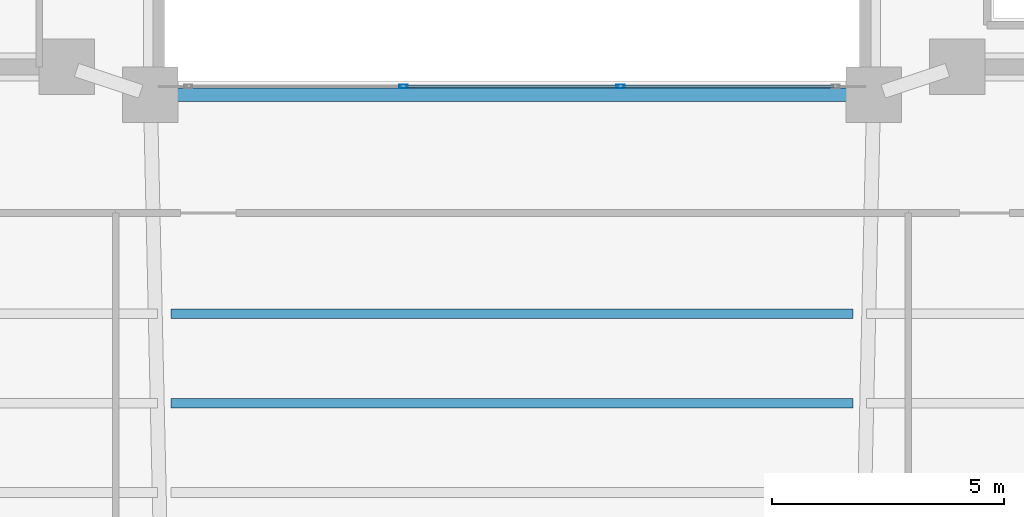
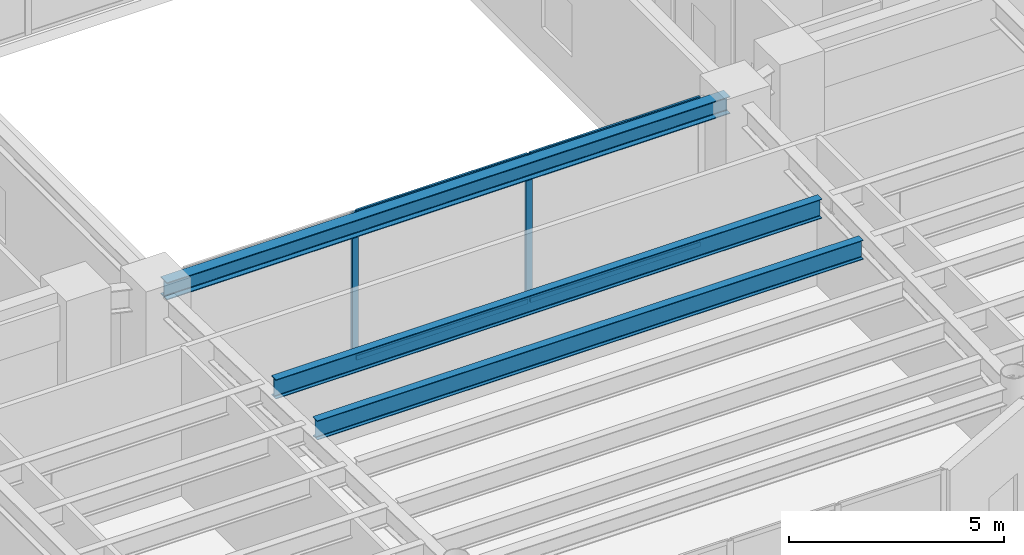
# One storey, part 7 of 37: 6 members, 3 beams, 1 element without a shape of its own.
"""IFC4 building model written with IfcOpenShell, lengths in metres."""

from ifc_helpers import new_model, si_unit, direction, frame, origin, origin_2d, place, context, subcontext, project, spatial, hollow_rectangle, i_section, extrude, material, layer, layer_set, material_profile, profile_set, type_object, element, aggregate, save


model = new_model("IFC4")

# Units and contexts
model_context = context("Model", 3, precision=1e-05, world=origin(), true_north=direction((0.0, 1.0)))
body_context = subcontext(model_context, "Body", "Model", "MODEL_VIEW")
ifc_project = project(units=[si_unit("LENGTHUNIT", "METRE"), si_unit("AREAUNIT", "SQUARE_METRE"), si_unit("VOLUMEUNIT", "CUBIC_METRE"), si_unit("PLANEANGLEUNIT", "RADIAN"), si_unit("MASSUNIT", "GRAM", prefix="KILO")], contexts=[model_context])

# Site, building, storey
site_placement = place(None, origin())
site = spatial("IfcSite", under=ifc_project, at=site_placement, CompositionType="ELEMENT")
building_placement = place(site_placement, origin())
building = spatial("IfcBuilding", under=site, at=building_placement, Name="Tarnavaz Court Tower", CompositionType="ELEMENT")
storey_placement = place(building_placement, frame((0.0, 0.0, 118.5)))
storey = spatial("IfcBuildingStorey", under=building, at=storey_placement, Name="L32", CompositionType="ELEMENT", Elevation=118.5)

# Beams
ifc_material_1 = material(Name="Steel S355", Category="steel")
ifc_material_profile_1 = material_profile(ifc_material_1, i_section(OverallWidth=0.2099609375, OverallDepth=0.550048828125, WebThickness=0.010986328125, FlangeThickness=0.01708984375, FilletRadius=0.02392578125, at=origin_2d()), Name="IPE 550")
ifc_profile_set_1 = profile_set([ifc_material_profile_1], Name="Steel S355")
beam_type_1 = type_object("IfcBeamType", Name="BM-J-IPE550", PredefinedType="JOIST", material=ifc_profile_set_1)
for number, where, z_axis, x_axis, name in (
    (1, (-7.35009765625, -12.52587890625, 3.925048828125), (1.0, 0.0, 0.0), (0.0, 1.0, 0.0), "L32 Beam JS1-2"),
    (2, (-7.35009765625, -14.451904296875, 3.925048828125), (1.0, 0.0, 0.0), (0.0, 1.0, 0.0), "L32 Beam JS2-2"),
):
    element("IfcBeam", number, at=place(storey_placement, frame(where, z_axis=z_axis, x_axis=x_axis)), inside=storey, type_object=beam_type_1, Name=name, PredefinedType="JOIST", context=body_context, shape_type="SweptSolid", body=[
        extrude(i_section(OverallWidth=0.2099609375, OverallDepth=0.550048828125, WebThickness=0.010986328125, FlangeThickness=0.01708984375, FilletRadius=0.02392578125, at=origin_2d()), origin(), (0.0, 0.0, 1.0), 14.7001953125),
    ])
ifc_material_profile_2 = material_profile(ifc_material_1, i_section(OverallWidth=0.300048828125, OverallDepth=0.489990234375, WebThickness=0.011962890625, FlangeThickness=0.02294921875, FilletRadius=0.027099609375, at=origin_2d()), Name="HEA 500")
ifc_profile_set_2 = profile_set([ifc_material_profile_2], Name="Steel S355")
beam_type_2 = type_object("IfcBeamType", Name="BM-SP-HEA500", PredefinedType="SPANDREL", material=ifc_profile_set_2)
beam_placement = place(storey_placement, frame((-7.580078125, -7.800048828125, 3.955078125), z_axis=(1.0, 0.0, 0.0), x_axis=(0.0, 1.0, 0.0)))
element("IfcBeam", 3, at=beam_placement, inside=storey, type_object=beam_type_2, Name="L32 Beam IN-IW-SW-IW-SE", PredefinedType="SPANDREL", context=body_context, shape_type="SweptSolid", body=[
    extrude(i_section(OverallWidth=0.300048828125, OverallDepth=0.489990234375, WebThickness=0.011962890625, FlangeThickness=0.02294921875, FilletRadius=0.027099609375, at=origin_2d()), origin(), (0.0, 0.0, 1.0), 15.16015625),
])

# Curtain wall, members
ifc_material_2 = material(Name="Anodised Aluminium 6063-T6 and Solar Low-E Glazing", Category="aluminium")
ifc_layer = layer(ifc_material_2, 0.139892578125)
ifc_layer_set = layer_set([ifc_layer], Name="Anodised Aluminium 6063-T6 and Solar Low-E Glazing")
curtain_wall_type = type_object("IfcCurtainWallType", Name="CW-SYS-04", PredefinedType="NOTDEFINED", material=ifc_layer_set)
curtain_wall_placement = place(storey_placement, origin())
curtain_wall = element("IfcCurtainWall", 4, at=curtain_wall_placement, inside=storey, type_object=curtain_wall_type, Name="L32 Badgir Courtyard Curtain Wall S", PredefinedType="NOTDEFINED")
ifc_material_3 = material(Name="Anodised Aluminium 6063-T6", Category="aluminium")
ifc_material_profile_3 = material_profile(ifc_material_3, hollow_rectangle(XDim=0.074951171875, YDim=0.179931640625, WallThickness=0.0048828125, InnerFilletRadius=0.0048828125, OuterFilletRadius=0.010009765625, at=origin_2d()), Name="ALU RHS 180X75X5")
ifc_profile_set_3 = profile_set([ifc_material_profile_3], Name="Anodised Aluminium 6063-T6")
member_type_1 = type_object("IfcMemberType", Name="CW-MUL-180", PredefinedType="MULLION", material=ifc_profile_set_3)
member_1_placement = place(storey_placement, frame((-2.340087890625, -7.6201171875, 0.0), z_axis=(0.0, 0.0, 1.0), x_axis=(0.0, 1.0, 0.0)))
member_1 = element("IfcMember", 5, at=member_1_placement, type_object=member_type_1, Name="CW mullion 2", PredefinedType="MULLION", context=body_context, shape_type="SweptSolid", body=[
    extrude(hollow_rectangle(XDim=0.074951171875, YDim=0.179931640625, WallThickness=0.0048828125, InnerFilletRadius=0.0048828125, OuterFilletRadius=0.010009765625, at=origin_2d()), origin(), (0.0, 0.0, 1.0), 4.199951171875),
])
member_2_placement = place(storey_placement, frame((2.340087890625, -7.6201171875, 0.0), z_axis=(0.0, 0.0, 1.0), x_axis=(0.0, 1.0, 0.0)))
member_2 = element("IfcMember", 6, at=member_2_placement, type_object=member_type_1, Name="CW mullion 3", PredefinedType="MULLION", context=body_context, shape_type="SweptSolid", body=[
    extrude(hollow_rectangle(XDim=0.074951171875, YDim=0.179931640625, WallThickness=0.0048828125, InnerFilletRadius=0.0048828125, OuterFilletRadius=0.010009765625, at=origin_2d()), origin(), (0.0, 0.0, 1.0), 4.199951171875),
])
ifc_material_profile_4 = material_profile(ifc_material_3, hollow_rectangle(XDim=0.06494140625, YDim=0.139892578125, WallThickness=0.00390625, InnerFilletRadius=0.00390625, OuterFilletRadius=0.008056640625, at=origin_2d()), Name="ALU RHS 140X65X4")
ifc_profile_set_4 = profile_set([ifc_material_profile_4], Name="Anodised Aluminium 6063-T6")
member_type_2 = type_object("IfcMemberType", Name="CW-TRN-140", PredefinedType="USERDEFINED", material=ifc_profile_set_4)
member_3_placement = place(storey_placement, frame((-2.302490234375, -7.6201171875, 0.032470703125), z_axis=(1.0, 0.0, 0.0), x_axis=(0.0, 1.0, 0.0)))
member_3 = element("IfcMember", 7, at=member_3_placement, type_object=member_type_2, Name="CW transom 2.1", ObjectType="TRANSOM", PredefinedType="USERDEFINED", context=body_context, shape_type="SweptSolid", body=[
    extrude(hollow_rectangle(XDim=0.06494140625, YDim=0.139892578125, WallThickness=0.00390625, InnerFilletRadius=0.00390625, OuterFilletRadius=0.008056640625, at=origin_2d()), origin(), (0.0, 0.0, 1.0), 4.60498046875),
])
member_4_placement = place(storey_placement, frame((-2.302490234375, -7.6201171875, 4.16748046875), z_axis=(1.0, 0.0, 0.0), x_axis=(0.0, 1.0, 0.0)))
member_4 = element("IfcMember", 8, at=member_4_placement, type_object=member_type_2, Name="CW transom 2.2", ObjectType="TRANSOM", PredefinedType="USERDEFINED", context=body_context, shape_type="SweptSolid", body=[
    extrude(hollow_rectangle(XDim=0.06494140625, YDim=0.139892578125, WallThickness=0.00390625, InnerFilletRadius=0.00390625, OuterFilletRadius=0.008056640625, at=origin_2d()), origin(), (0.0, 0.0, 1.0), 4.60498046875),
])
member_5_placement = place(storey_placement, frame((2.37744140625, -7.6201171875, 0.032470703125), z_axis=(1.0, 0.0, 0.0), x_axis=(0.0, 1.0, 0.0)))
member_5 = element("IfcMember", 9, at=member_5_placement, type_object=member_type_2, Name="CW transom 3.1", ObjectType="TRANSOM", PredefinedType="USERDEFINED", context=body_context, shape_type="SweptSolid", body=[
    extrude(hollow_rectangle(XDim=0.06494140625, YDim=0.139892578125, WallThickness=0.00390625, InnerFilletRadius=0.00390625, OuterFilletRadius=0.008056640625, at=origin_2d()), origin(), (0.0, 0.0, 1.0), 4.567626953125),
])
member_6_placement = place(storey_placement, frame((2.37744140625, -7.6201171875, 4.16748046875), z_axis=(1.0, 0.0, 0.0), x_axis=(0.0, 1.0, 0.0)))
member_6 = element("IfcMember", 10, at=member_6_placement, type_object=member_type_2, Name="CW transom 3.2", ObjectType="TRANSOM", PredefinedType="USERDEFINED", context=body_context, shape_type="SweptSolid", body=[
    extrude(hollow_rectangle(XDim=0.06494140625, YDim=0.139892578125, WallThickness=0.00390625, InnerFilletRadius=0.00390625, OuterFilletRadius=0.008056640625, at=origin_2d()), origin(), (0.0, 0.0, 1.0), 4.567626953125),
])
aggregate(curtain_wall, [member_1, member_2, member_3, member_4, member_5, member_6])

save(model, "model.ifc")
